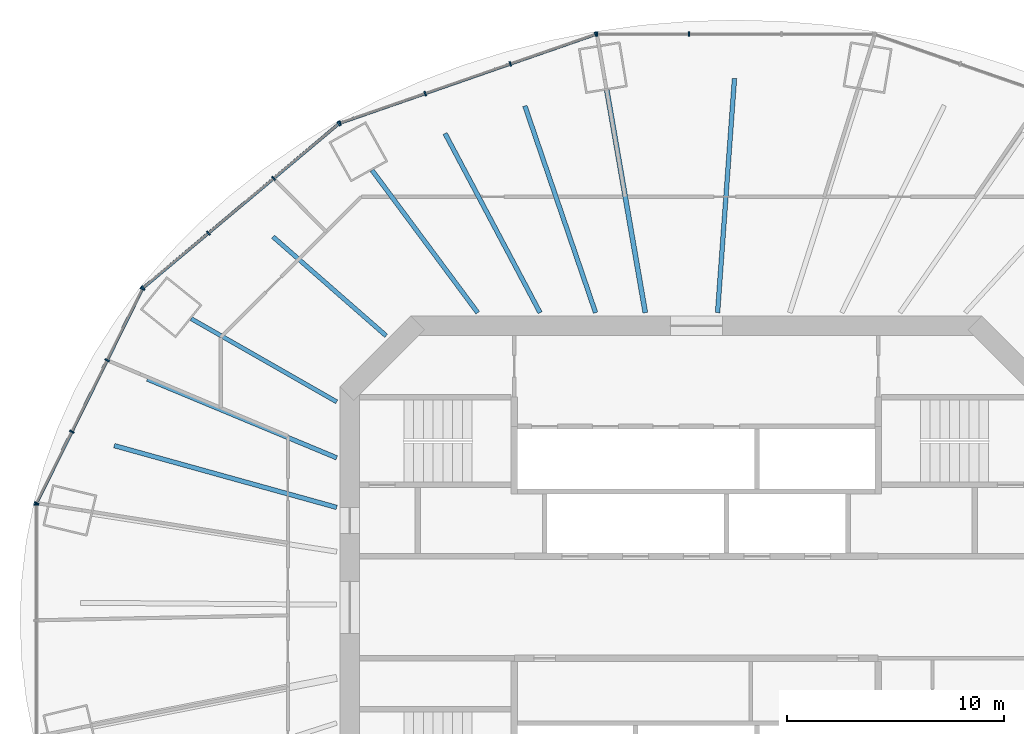
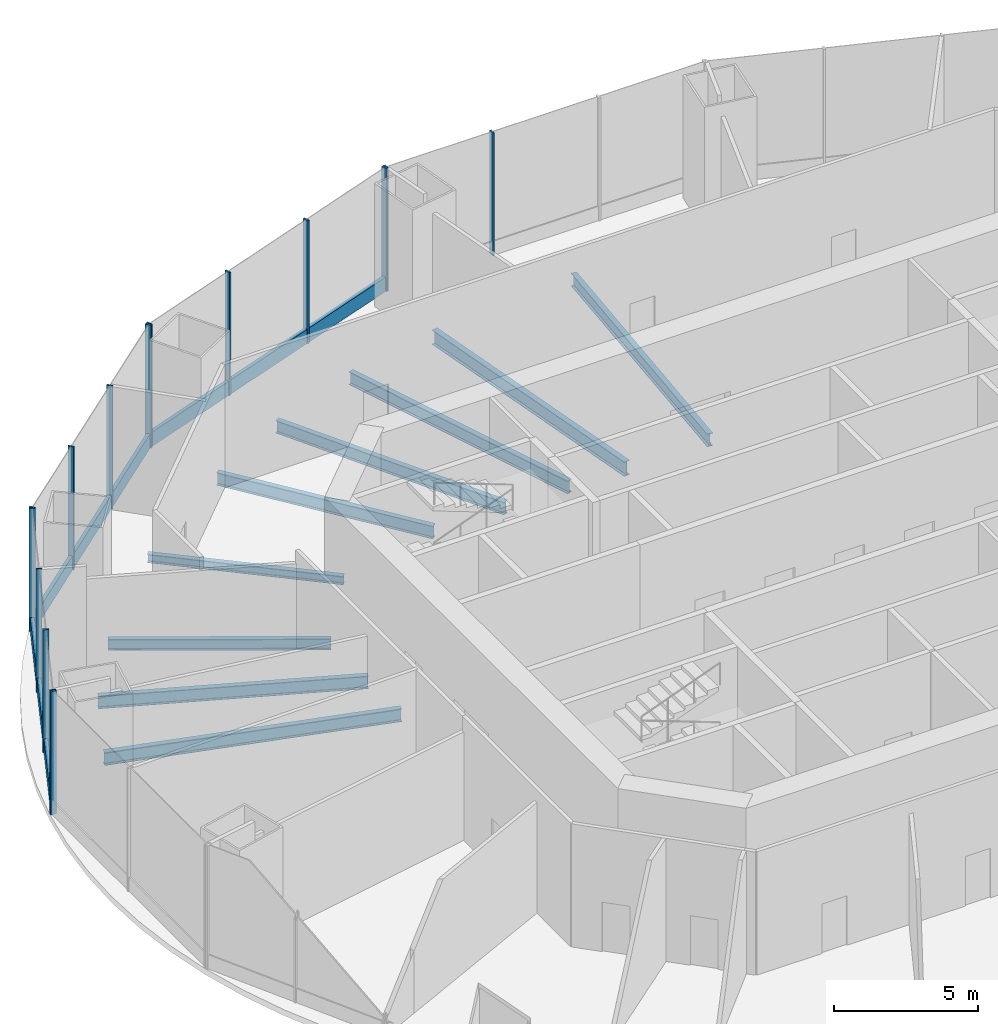
# One storey, part 5 of 15: 18 members, 9 beams, 5 elements without a shape of their own.
"""IFC4 building model written with IfcOpenShell, lengths in metres."""

from ifc_helpers import new_model, si_unit, direction, frame, origin, origin_2d, place, context, subcontext, project, spatial, rectangle, i_section, extrude, material, material_profile, profile_set, type_object, element, aggregate, save


model = new_model("IFC4")

# Units and contexts
model_context = context("Model", 3, precision=1e-05, world=origin(), true_north=direction((0.0, 1.0)))
body_context = subcontext(model_context, "Body", "Model", "MODEL_VIEW")
ifc_project = project(units=[si_unit("LENGTHUNIT", "METRE"), si_unit("AREAUNIT", "SQUARE_METRE"), si_unit("VOLUMEUNIT", "CUBIC_METRE"), si_unit("PLANEANGLEUNIT", "RADIAN"), si_unit("MASSUNIT", "GRAM", prefix="KILO")], contexts=[model_context])

# Site, building, storey
site_placement = place(None, origin())
site = spatial("IfcSite", under=ifc_project, at=site_placement, CompositionType="ELEMENT")
building_placement = place(site_placement, origin())
building = spatial("IfcBuilding", under=site, at=building_placement, Name="Marenthal Gate Tower", CompositionType="ELEMENT")
storey_placement = place(building_placement, frame((0.0, 0.0, 155.64990234375)))
storey = spatial("IfcBuildingStorey", under=building, at=storey_placement, Name="L33", CompositionType="ELEMENT", Elevation=155.64990234375)

# Curtain wall, members
ifc_material_1 = material(Name="Aluminium and glass", Category="aluminium")
curtain_wall_type = type_object("IfcCurtainWallType", Name="Curtain wall sky lobby", PredefinedType="NOTDEFINED", material=ifc_material_1)
curtain_wall_1_placement = place(storey_placement, origin())
curtain_wall_1 = element("IfcCurtainWall", 1, at=curtain_wall_1_placement, inside=storey, type_object=curtain_wall_type, Name="Curtain wall L33 bay 4", PredefinedType="NOTDEFINED")
ifc_material_2 = material(Name="Aluminium", Category="aluminium")
ifc_material_profile_1 = material_profile(ifc_material_2, rectangle(XDim=0.219970703125, YDim=0.070068359375, at=origin_2d()), Name="70x220 aluminium mullion")
ifc_profile_set_1 = profile_set([ifc_material_profile_1], Name="Aluminium")
member_type_1 = type_object("IfcMemberType", Name="Mullion 70x220 sky lobby", PredefinedType="MULLION", material=ifc_profile_set_1)
member_1_placement = place(storey_placement, frame((-0.329345703125, 26.4619140625, 0.0), z_axis=(0.0, 0.0, 1.0), x_axis=(0.0, -1.0, 0.0)))
member_1 = element("IfcMember", 2, at=member_1_placement, type_object=member_type_1, Name="Mullion L33 bay 4.3", PredefinedType="MULLION", context=body_context, shape_type="SweptSolid", body=[
    extrude(rectangle(XDim=0.219970703125, YDim=0.070068359375, at=origin_2d()), origin(), (0.0, 0.0, 1.0), 5.22021484375),
])
member_2_placement = place(storey_placement, frame((-4.58837890625, 26.4619140625, 0.0), z_axis=(0.0, 0.0, 1.0), x_axis=(0.0, -1.0, 0.0)))
member_2 = element("IfcMember", 3, at=member_2_placement, type_object=member_type_1, Name="Mullion L33 bay 4.4", PredefinedType="MULLION", context=body_context, shape_type="SweptSolid", body=[
    extrude(rectangle(XDim=0.219970703125, YDim=0.070068359375, at=origin_2d()), origin(), (0.0, 0.0, 1.0), 5.22021484375),
])
aggregate(curtain_wall_1, [member_1, member_2])

curtain_wall_2_placement = place(storey_placement, origin())
curtain_wall_2 = element("IfcCurtainWall", 4, at=curtain_wall_2_placement, inside=storey, type_object=curtain_wall_type, Name="Curtain wall L33 bay 5", PredefinedType="NOTDEFINED")
member_3_placement = place(storey_placement, frame((-4.646728515625, 26.451904296875, 0.0), z_axis=(0.0, 0.0, 1.0), x_axis=(0.328157600538, -0.944622987868, 0.0)))
member_3 = element("IfcMember", 5, at=member_3_placement, type_object=member_type_1, Name="Mullion L33 bay 5.1", PredefinedType="MULLION", context=body_context, shape_type="SweptSolid", body=[
    extrude(rectangle(XDim=0.219970703125, YDim=0.070068359375, at=origin_2d()), origin(), (0.0, 0.0, 1.0), 5.22021484375),
])
member_4_placement = place(storey_placement, frame((-8.580810546875, 25.085205078125, 0.0), z_axis=(0.0, 0.0, 1.0), x_axis=(0.328157600538, -0.944622987868, 0.0)))
member_4 = element("IfcMember", 6, at=member_4_placement, type_object=member_type_1, Name="Mullion L33 bay 5.2", PredefinedType="MULLION", context=body_context, shape_type="SweptSolid", body=[
    extrude(rectangle(XDim=0.219970703125, YDim=0.070068359375, at=origin_2d()), origin(), (0.0, 0.0, 1.0), 5.22021484375),
])
member_5_placement = place(storey_placement, frame((-12.51513671875, 23.718505859375, 0.0), z_axis=(0.0, 0.0, 1.0), x_axis=(0.328157600538, -0.944622987868, 0.0)))
member_5 = element("IfcMember", 7, at=member_5_placement, type_object=member_type_1, Name="Mullion L33 bay 5.3", PredefinedType="MULLION", context=body_context, shape_type="SweptSolid", body=[
    extrude(rectangle(XDim=0.219970703125, YDim=0.070068359375, at=origin_2d()), origin(), (0.0, 0.0, 1.0), 5.22021484375),
])
member_6_placement = place(storey_placement, frame((-16.44921875, 22.351806640625, 0.0), z_axis=(0.0, 0.0, 1.0), x_axis=(0.328157600538, -0.944622987868, 0.0)))
member_6 = element("IfcMember", 8, at=member_6_placement, type_object=member_type_1, Name="Mullion L33 bay 5.4", PredefinedType="MULLION", context=body_context, shape_type="SweptSolid", body=[
    extrude(rectangle(XDim=0.219970703125, YDim=0.070068359375, at=origin_2d()), origin(), (0.0, 0.0, 1.0), 5.22021484375),
])

curtain_wall_3_placement = place(storey_placement, origin())
curtain_wall_3 = element("IfcCurtainWall", 9, at=curtain_wall_3_placement, inside=storey, type_object=curtain_wall_type, Name="Curtain wall L33 bay 6", PredefinedType="NOTDEFINED")
member_7_placement = place(storey_placement, frame((-16.500732421875, 22.322509765625, 0.0), z_axis=(0.0, 0.0, 1.0), x_axis=(0.642602351007, -0.766199855443, 0.0)))
member_7 = element("IfcMember", 10, at=member_7_placement, type_object=member_type_1, Name="Mullion L33 bay 6.1", PredefinedType="MULLION", context=body_context, shape_type="SweptSolid", body=[
    extrude(rectangle(XDim=0.219970703125, YDim=0.070068359375, at=origin_2d()), origin(), (0.0, 0.0, 1.0), 5.22021484375),
])
member_8_placement = place(storey_placement, frame((-19.510986328125, 19.7978515625, 0.0), z_axis=(0.0, 0.0, 1.0), x_axis=(0.642602351007, -0.766199855443, 0.0)))
member_8 = element("IfcMember", 11, at=member_8_placement, type_object=member_type_1, Name="Mullion L33 bay 6.2", PredefinedType="MULLION", context=body_context, shape_type="SweptSolid", body=[
    extrude(rectangle(XDim=0.219970703125, YDim=0.070068359375, at=origin_2d()), origin(), (0.0, 0.0, 1.0), 5.22021484375),
])
member_9_placement = place(storey_placement, frame((-22.521240234375, 17.273193359375, 0.0), z_axis=(0.0, 0.0, 1.0), x_axis=(0.642602351007, -0.766199855443, 0.0)))
member_9 = element("IfcMember", 12, at=member_9_placement, type_object=member_type_1, Name="Mullion L33 bay 6.3", PredefinedType="MULLION", context=body_context, shape_type="SweptSolid", body=[
    extrude(rectangle(XDim=0.219970703125, YDim=0.070068359375, at=origin_2d()), origin(), (0.0, 0.0, 1.0), 5.22021484375),
])
member_10_placement = place(storey_placement, frame((-25.531494140625, 14.74853515625, 0.0), z_axis=(0.0, 0.0, 1.0), x_axis=(0.642602351007, -0.766199855443, 0.0)))
member_10 = element("IfcMember", 13, at=member_10_placement, type_object=member_type_1, Name="Mullion L33 bay 6.4", PredefinedType="MULLION", context=body_context, shape_type="SweptSolid", body=[
    extrude(rectangle(XDim=0.219970703125, YDim=0.070068359375, at=origin_2d()), origin(), (0.0, 0.0, 1.0), 5.22021484375),
])

curtain_wall_4_placement = place(storey_placement, origin())
curtain_wall_4 = element("IfcCurtainWall", 14, at=curtain_wall_4_placement, inside=storey, type_object=curtain_wall_type, Name="Curtain wall L33 bay 7", PredefinedType="NOTDEFINED")
member_11_placement = place(storey_placement, frame((-25.56787109375, 14.702392578125, 0.0), z_axis=(0.0, 0.0, 1.0), x_axis=(0.896608747182, -0.442823615536, 0.0)))
member_11 = element("IfcMember", 15, at=member_11_placement, type_object=member_type_1, Name="Mullion L33 bay 7.1", PredefinedType="MULLION", context=body_context, shape_type="SweptSolid", body=[
    extrude(rectangle(XDim=0.219970703125, YDim=0.070068359375, at=origin_2d()), origin(), (0.0, 0.0, 1.0), 5.22021484375),
])
member_12_placement = place(storey_placement, frame((-27.1962890625, 11.40478515625, 0.0), z_axis=(0.0, 0.0, 1.0), x_axis=(0.896608747182, -0.442823615536, 0.0)))
member_12 = element("IfcMember", 16, at=member_12_placement, type_object=member_type_1, Name="Mullion L33 bay 7.2", PredefinedType="MULLION", context=body_context, shape_type="SweptSolid", body=[
    extrude(rectangle(XDim=0.219970703125, YDim=0.070068359375, at=origin_2d()), origin(), (0.0, 0.0, 1.0), 5.22021484375),
])
member_13_placement = place(storey_placement, frame((-28.824951171875, 8.107421875, 0.0), z_axis=(0.0, 0.0, 1.0), x_axis=(0.896608747182, -0.442823615536, 0.0)))
member_13 = element("IfcMember", 17, at=member_13_placement, type_object=member_type_1, Name="Mullion L33 bay 7.3", PredefinedType="MULLION", context=body_context, shape_type="SweptSolid", body=[
    extrude(rectangle(XDim=0.219970703125, YDim=0.070068359375, at=origin_2d()), origin(), (0.0, 0.0, 1.0), 5.22021484375),
])
member_14_placement = place(storey_placement, frame((-30.45361328125, 4.809814453125, 0.0), z_axis=(0.0, 0.0, 1.0), x_axis=(0.896608747182, -0.442823615536, 0.0)))
member_14 = element("IfcMember", 18, at=member_14_placement, type_object=member_type_1, Name="Mullion L33 bay 7.4", PredefinedType="MULLION", context=body_context, shape_type="SweptSolid", body=[
    extrude(rectangle(XDim=0.219970703125, YDim=0.070068359375, at=origin_2d()), origin(), (0.0, 0.0, 1.0), 5.22021484375),
])

# Curtain wall, member
curtain_wall_5_placement = place(storey_placement, origin())
curtain_wall_5 = element("IfcCurtainWall", 19, at=curtain_wall_5_placement, inside=storey, type_object=curtain_wall_type, Name="Curtain wall L33 bay 8", PredefinedType="NOTDEFINED")
member_15_placement = place(storey_placement, frame((-30.466796875, 4.7529296875, 0.0), z_axis=(0.0, 0.0, 1.0), x_axis=(1.0, 0.0, 0.0)))
member_15 = element("IfcMember", 20, at=member_15_placement, type_object=member_type_1, Name="Mullion L33 bay 8.1", PredefinedType="MULLION", context=body_context, shape_type="SweptSolid", body=[
    extrude(rectangle(XDim=0.219970703125, YDim=0.070068359375, at=origin_2d()), origin(), (0.0, 0.0, 1.0), 5.22021484375),
])
aggregate(curtain_wall_5, [member_15])

# Member
ifc_material_3 = material(Name="Aluminium", Category="aluminium")
ifc_material_profile_2 = material_profile(ifc_material_3, rectangle(XDim=0.139892578125, YDim=0.60009765625, at=origin_2d()), Name="140x600 aluminium transom")
ifc_profile_set_2 = profile_set([ifc_material_profile_2], Name="Aluminium")
member_type_2 = type_object("IfcMemberType", Name="Transom 140x600 sky lobby", PredefinedType="USERDEFINED", material=ifc_profile_set_2)
member_16_placement = place(storey_placement, frame((-4.6796875, 26.4404296875, 0.300048828125), z_axis=(-0.944625028285, -0.328151727006, 0.0), x_axis=(0.328151727006, -0.944625028285, 0.0)))
member_16 = element("IfcMember", 21, at=member_16_placement, type_object=member_type_2, Name="Transom L33 bay 5", ObjectType="TRANSOM", PredefinedType="USERDEFINED", context=body_context, shape_type="SweptSolid", body=[
    extrude(rectangle(XDim=0.139892578125, YDim=0.60009765625, at=origin_2d()), origin(), (0.0, 0.0, 1.0), 12.424560546875),
])

aggregate(curtain_wall_2, [member_3, member_4, member_5, member_6, member_16])

member_17_placement = place(storey_placement, frame((-16.527587890625, 22.300048828125, 0.300048828125), z_axis=(-0.766195183631, -0.642607921349, 0.0), x_axis=(0.642607921349, -0.766195183631, 0.0)))
member_17 = element("IfcMember", 22, at=member_17_placement, type_object=member_type_2, Name="Transom L33 bay 6", ObjectType="TRANSOM", PredefinedType="USERDEFINED", context=body_context, shape_type="SweptSolid", body=[
    extrude(rectangle(XDim=0.139892578125, YDim=0.60009765625, at=origin_2d()), origin(), (0.0, 0.0, 1.0), 11.71630859375),
])

aggregate(curtain_wall_3, [member_7, member_8, member_9, member_10, member_17])

member_18_placement = place(storey_placement, frame((-25.583251953125, 14.6708984375, 0.300048828125), z_axis=(-0.442834683094, -0.896603280972, 0.0), x_axis=(0.896603280972, -0.442834683094, 0.0)))
member_18 = element("IfcMember", 23, at=member_18_placement, type_object=member_type_2, Name="Transom L33 bay 7", ObjectType="TRANSOM", PredefinedType="USERDEFINED", context=body_context, shape_type="SweptSolid", body=[
    extrude(rectangle(XDim=0.139892578125, YDim=0.60009765625, at=origin_2d()), origin(), (0.0, 0.0, 1.0), 10.96337890625),
])

aggregate(curtain_wall_4, [member_11, member_12, member_13, member_14, member_18])

# Beams
ifc_material_4 = material(Name="Steel S355", Category="steel")
ifc_material_profile_3 = material_profile(ifc_material_4, i_section(OverallWidth=0.205078125, OverallDepth=0.35302734375, WebThickness=0.009521484375, FlangeThickness=0.016845703125, FilletRadius=0.014892578125, at=origin_2d()), Name="W360X79")
ifc_profile_set_3 = profile_set([ifc_material_profile_3], Name="Steel S355")
beam_type_1 = type_object("IfcBeamType", Name="W360X79 beam", PredefinedType="BEAM", material=ifc_profile_set_3)
beam_1_placement = place(storey_placement, frame((-19.539306640625, 17.106201171875, -0.426513671875), z_axis=(0.752408940048, -0.658696278216, 0.0), x_axis=(0.658696278216, 0.752408940048, 0.0)))
element("IfcBeam", 24, at=beam_1_placement, inside=storey, type_object=beam_type_1, Name="BM-L33-25", PredefinedType="BEAM", context=body_context, shape_type="SweptSolid", body=[
    extrude(i_section(OverallWidth=0.205078125, OverallDepth=0.35302734375, WebThickness=0.009521484375, FlangeThickness=0.016845703125, FilletRadius=0.014892578125, at=origin_2d()), origin(), (0.0, 0.0, 1.0), 6.94287109375),
])
ifc_material_5 = material(Name="Steel S355", Category="steel")
ifc_material_profile_4 = material_profile(ifc_material_5, i_section(OverallWidth=0.193115234375, OverallDepth=0.467041015625, WebThickness=0.011474609375, FlangeThickness=0.01904296875, FilletRadius=0.010009765625, at=origin_2d()), Name="W460X97")
ifc_profile_set_4 = profile_set([ifc_material_profile_4], Name="Steel S355")
beam_type_2 = type_object("IfcBeamType", Name="W460X97 beam", PredefinedType="BEAM", material=ifc_profile_set_4)
beam_2_placement = place(storey_placement, frame((-23.317626953125, 13.323974609375, -0.4833984375), z_axis=(0.868254793217, -0.49611854839, 0.0), x_axis=(0.49611854839, 0.868254793217, 0.0)))
element("IfcBeam", 25, at=beam_2_placement, inside=storey, type_object=beam_type_2, Name="BM-L33-07", PredefinedType="BEAM", context=body_context, shape_type="SweptSolid", body=[
    extrude(i_section(OverallWidth=0.193115234375, OverallDepth=0.467041015625, WebThickness=0.011474609375, FlangeThickness=0.01904296875, FilletRadius=0.010009765625, at=origin_2d()), origin(), (0.0, 0.0, 1.0), 7.73681640625),
])
ifc_material_6 = material(Name="Steel S355", Category="steel")
ifc_material_profile_5 = material_profile(ifc_material_6, i_section(OverallWidth=0.2099609375, OverallDepth=0.535888671875, WebThickness=0.010986328125, FlangeThickness=0.017333984375, FilletRadius=0.0126953125, at=origin_2d()), Name="W530X101")
ifc_profile_set_5 = profile_set([ifc_material_profile_5], Name="Steel S355")
beam_type_3 = type_object("IfcBeamType", Name="W530X101 beam", PredefinedType="BEAM", material=ifc_profile_set_5)
beam_3_placement = place(storey_placement, frame((-14.96875, 20.177490234375, -0.517822265625), z_axis=(0.595818393943, -0.803119195038, 0.0), x_axis=(0.803119195038, 0.595818393943, 0.0)))
element("IfcBeam", 26, at=beam_3_placement, inside=storey, type_object=beam_type_3, Name="BM-L33-06", PredefinedType="BEAM", context=body_context, shape_type="SweptSolid", body=[
    extrude(i_section(OverallWidth=0.2099609375, OverallDepth=0.535888671875, WebThickness=0.010986328125, FlangeThickness=0.017333984375, FilletRadius=0.0126953125, at=origin_2d()), origin(), (0.0, 0.0, 1.0), 8.189697265625),
])
beam_4_placement = place(storey_placement, frame((-11.599609375, 21.875732421875, -0.517822265625), z_axis=(0.468488759883, -0.883469457233, 0.0), x_axis=(0.883469457233, 0.468488759883, 0.0)))
element("IfcBeam", 27, at=beam_4_placement, inside=storey, type_object=beam_type_3, Name="BM-L33-24", PredefinedType="BEAM", context=body_context, shape_type="SweptSolid", body=[
    extrude(i_section(OverallWidth=0.2099609375, OverallDepth=0.535888671875, WebThickness=0.010986328125, FlangeThickness=0.017333984375, FilletRadius=0.0126953125, at=origin_2d()), origin(), (0.0, 0.0, 1.0), 9.3671875),
])
beam_5_placement = place(storey_placement, frame((-25.3369140625, 10.533447265625, -0.517822265625), z_axis=(0.923386564856, -0.383871400138, 0.0), x_axis=(0.383871400138, 0.923386564856, 0.0)))
element("IfcBeam", 28, at=beam_5_placement, inside=storey, type_object=beam_type_3, Name="BM-L33-26", PredefinedType="BEAM", context=body_context, shape_type="SweptSolid", body=[
    extrude(i_section(OverallWidth=0.2099609375, OverallDepth=0.535888671875, WebThickness=0.010986328125, FlangeThickness=0.017333984375, FilletRadius=0.0126953125, at=origin_2d()), origin(), (0.0, 0.0, 1.0), 9.461669921875),
])
ifc_material_7 = material(Name="Steel S355", Category="steel")
ifc_material_profile_6 = material_profile(ifc_material_7, i_section(OverallWidth=0.2119140625, OverallDepth=0.5439453125, WebThickness=0.01318359375, FlangeThickness=0.021240234375, FilletRadius=0.0126953125, at=origin_2d()), Name="W530X123")
ifc_profile_set_6 = profile_set([ifc_material_profile_6], Name="Steel S355")
beam_type_4 = type_object("IfcBeamType", Name="W530X123 beam", PredefinedType="BEAM", material=ifc_profile_set_6)
beam_6_placement = place(storey_placement, frame((1.763916015625, 24.412109375, -0.52197265625), z_axis=(-0.072069699546, -0.997399598159, 0.0), x_axis=(0.997399598159, -0.072069699546, 0.0)))
element("IfcBeam", 29, at=beam_6_placement, inside=storey, type_object=beam_type_4, Name="BM-L33-22", PredefinedType="BEAM", context=body_context, shape_type="SweptSolid", body=[
    extrude(i_section(OverallWidth=0.2119140625, OverallDepth=0.5439453125, WebThickness=0.01318359375, FlangeThickness=0.021240234375, FilletRadius=0.0126953125, at=origin_2d()), origin(), (0.0, 0.0, 1.0), 10.840087890625),
])
beam_7_placement = place(storey_placement, frame((-7.91162109375, 23.144287109375, -0.52197265625), z_axis=(0.323472693837, -0.94623750525, 0.0), x_axis=(0.94623750525, 0.323472693837, 0.0)))
element("IfcBeam", 30, at=beam_7_placement, inside=storey, type_object=beam_type_4, Name="BM-L33-23", PredefinedType="BEAM", context=body_context, shape_type="SweptSolid", body=[
    extrude(i_section(OverallWidth=0.2119140625, OverallDepth=0.5439453125, WebThickness=0.01318359375, FlangeThickness=0.021240234375, FilletRadius=0.0126953125, at=origin_2d()), origin(), (0.0, 0.0, 1.0), 10.08642578125),
])
beam_8_placement = place(storey_placement, frame((-26.86767578125, 7.464111328125, -0.52197265625), z_axis=(0.963507405688, -0.267681675101, 0.0), x_axis=(0.267681675101, 0.963507405688, 0.0)))
element("IfcBeam", 31, at=beam_8_placement, inside=storey, type_object=beam_type_4, Name="BM-L33-27", PredefinedType="BEAM", context=body_context, shape_type="SweptSolid", body=[
    extrude(i_section(OverallWidth=0.2119140625, OverallDepth=0.5439453125, WebThickness=0.01318359375, FlangeThickness=0.021240234375, FilletRadius=0.0126953125, at=origin_2d()), origin(), (0.0, 0.0, 1.0), 10.656494140625),
])
ifc_material_8 = material(Name="Steel S355", Category="steel")
ifc_material_profile_7 = material_profile(ifc_material_8, i_section(OverallWidth=0.22900390625, OverallDepth=0.612060546875, WebThickness=0.011962890625, FlangeThickness=0.01953125, FilletRadius=0.0126953125, at=origin_2d()), Name="W610X125")
ifc_profile_set_7 = profile_set([ifc_material_profile_7], Name="Steel S355")
beam_type_5 = type_object("IfcBeamType", Name="W610X125 beam", PredefinedType="BEAM", material=ifc_profile_set_7)
beam_9_placement = place(storey_placement, frame((-4.131103515625, 23.87744140625, -0.555908203125), z_axis=(0.170499476738, -0.985357766718, 0.0), x_axis=(0.985357766718, 0.170499476738, 0.0)))
element("IfcBeam", 32, at=beam_9_placement, inside=storey, type_object=beam_type_5, Name="BM-L33-05", PredefinedType="BEAM", context=body_context, shape_type="SweptSolid", body=[
    extrude(i_section(OverallWidth=0.22900390625, OverallDepth=0.612060546875, WebThickness=0.011962890625, FlangeThickness=0.01953125, FilletRadius=0.0126953125, at=origin_2d()), origin(), (0.0, 0.0, 1.0), 10.43017578125),
])

save(model, "model.ifc")
